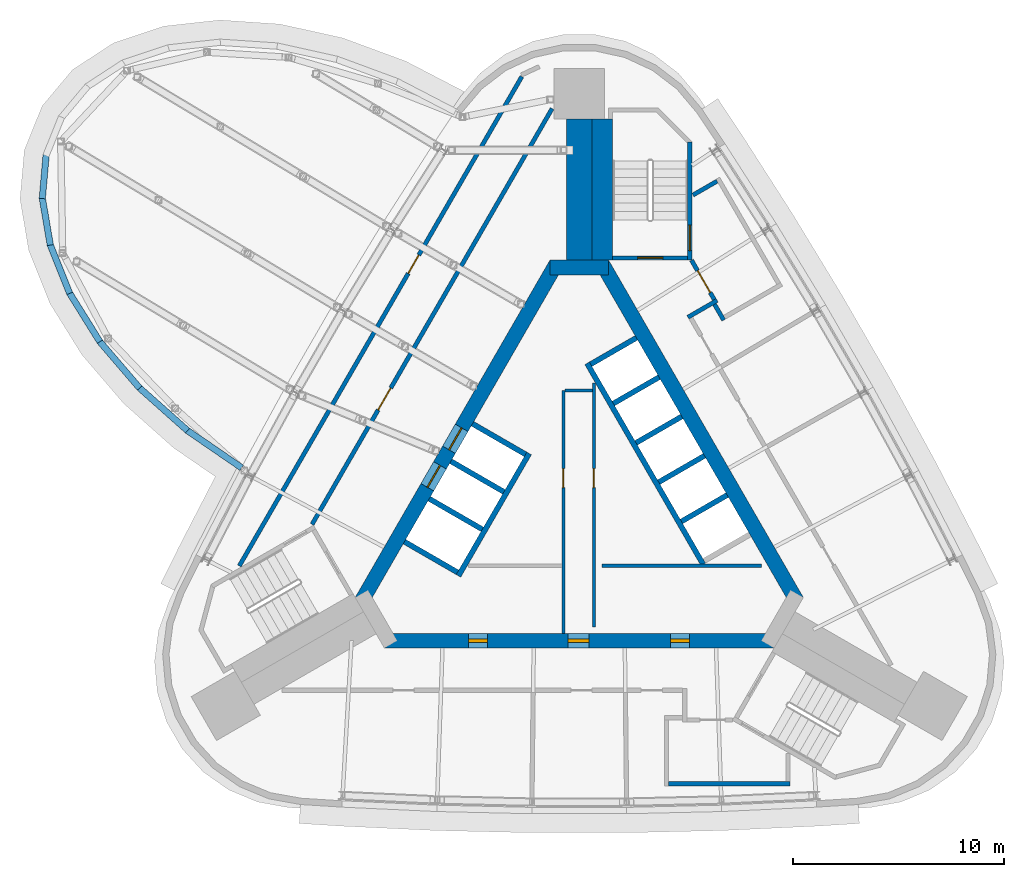
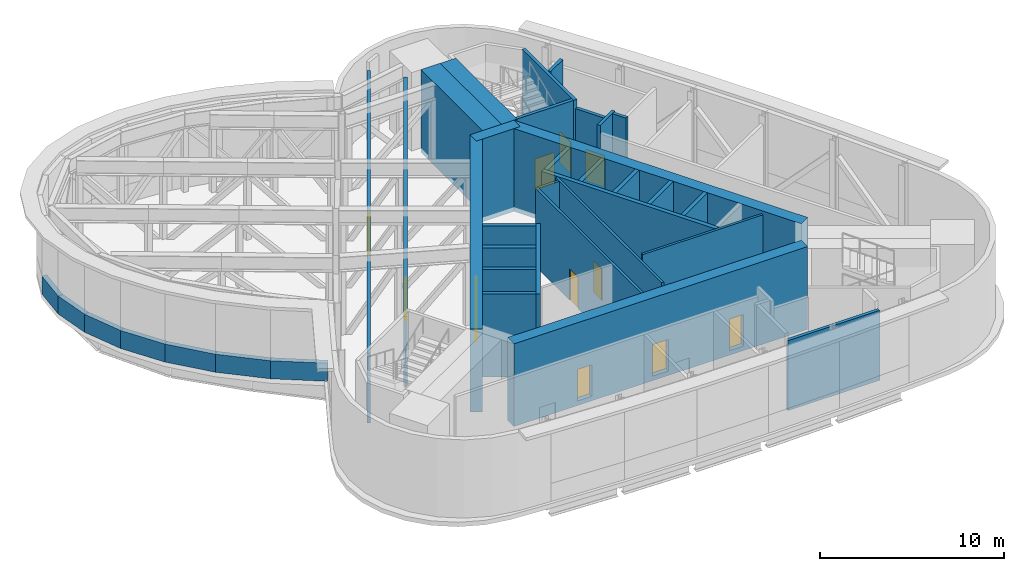
# One storey, part 7 of 11: 37 walls, 12 doors, 12 openings.
"""IFC4 building model written with IfcOpenShell, lengths in metres."""

from ifc_helpers import new_model, si_unit, direction, frame, frame_2d, origin, place, context, subcontext, project, spatial, polyline, rectangle, outline, extrude, material, layer, layer_set, type_object, element, fill, save


model = new_model("IFC4")

# Units and contexts
model_context = context("Model", 3, precision=1e-05, world=origin(), true_north=direction((0.0, 1.0)))
body_context = subcontext(model_context, "Body", "Model", "MODEL_VIEW")
ifc_project = project(units=[si_unit("LENGTHUNIT", "METRE"), si_unit("AREAUNIT", "SQUARE_METRE"), si_unit("VOLUMEUNIT", "CUBIC_METRE"), si_unit("PLANEANGLEUNIT", "RADIAN"), si_unit("MASSUNIT", "GRAM", prefix="KILO")], contexts=[model_context])

# Site, building, storey
site_placement = place(None, origin())
site = spatial("IfcSite", under=ifc_project, at=site_placement, CompositionType="ELEMENT")
building_placement = place(site_placement, origin())
building = spatial("IfcBuilding", under=site, at=building_placement, Name="Noor Cloister Tower", CompositionType="ELEMENT")
storey_placement = place(building_placement, frame((0.0, 0.0, 258.0)))
storey = spatial("IfcBuildingStorey", under=building, at=storey_placement, Name="L66", CompositionType="ELEMENT", Elevation=258.0)

# Wall
ifc_material_1 = material(Name="Concrete C60/75", Category="concrete")
ifc_layer_1 = layer(ifc_material_1, 1.199951171875)
ifc_layer_set_1 = layer_set([ifc_layer_1], Name="Buttress wall 1200 C60/75")
wall_type_1 = type_object("IfcWallType", Name="Buttress wall 1200 C60/75", PredefinedType="SHEAR", material=ifc_layer_set_1)
wall_1_placement = place(storey_placement, frame((0.0, 11.456298828125, -0.300048828125), z_axis=(0.0, 0.0, 1.0), x_axis=(0.0, 1.0, 0.0)))
element("IfcWall", 1, at=wall_1_placement, inside=storey, type_object=wall_type_1, Name="Buttress wall N L66", PredefinedType="SHEAR", context=body_context, shape_type="SweptSolid", body=[
    extrude(rectangle(XDim=6.6787109375, YDim=1.199951171875, at=frame_2d((3.33935546875, 0.0))), origin(), (0.0, 0.0, 1.0), 5.5),
])

# Wall, opening, door
ifc_material_2 = material(Name="Concrete C30/37", Category="concrete")
ifc_layer_2 = layer(ifc_material_2, 0.14990234375)
ifc_layer_set_2 = layer_set([ifc_layer_2], Name="Core partition 150 C30/37")
wall_type_2 = type_object("IfcWallType", Name="Core partition 150 C30/37", PredefinedType="PARTITIONING", material=ifc_layer_set_2)
wall_2_placement = place(storey_placement, frame((-0.753662109375, 5.271728515625, 0.0), z_axis=(0.0, 0.0, 1.0), x_axis=(0.0, -1.0, 0.0)))
wall_2 = element("IfcWall", 2, at=wall_2_placement, inside=storey, type_object=wall_type_2, Name="Core room partition L66 2", PredefinedType="PARTITIONING", context=body_context, shape_type="SweptSolid", body=[
    extrude(rectangle(XDim=11.5, YDim=0.14990234375, at=frame_2d((5.75, 0.0))), origin(), (0.0, 0.0, 1.0), 5.199951171875),
])
opening_1_placement = place(wall_2_placement, frame((3.700927734375, 0.0, 0.0)))
opening_1 = element("IfcOpeningElement", 3, at=opening_1_placement, cuts=wall_2, Name="Opening L66-904", PredefinedType="OPENING", context=body_context, shape_type="SweptSolid", body=[
    extrude(rectangle(XDim=0.89990234375, YDim=2.10009765625, at=frame_2d((0.449951171875, 1.050048828125))), frame((0.0, 0.0849609375, 0.0), z_axis=(0.0, -1.0, 0.0), x_axis=(1.0, 0.0, 0.0)), (0.0, 0.0, 1.0), 0.169921875),
])
ifc_material_3 = material(Name="Steel", Category="steel")
door_type_1 = type_object("IfcDoorType", Name="Core door 900 x 2100 FD60", OperationType="SINGLE_SWING_LEFT", PredefinedType="DOOR", material=ifc_material_3)
door_1_placement = place(opening_1_placement, origin())
door_1 = element("IfcDoor", 4, at=door_1_placement, inside=storey, type_object=door_type_1, Name="Core door 4 L66", OperationType="SINGLE_SWING_RIGHT", OverallHeight=2.10009765625, OverallWidth=0.89990234375, PredefinedType="DOOR", context=body_context, shape_type="SweptSolid", body=[
    extrude(rectangle(XDim=0.89990234375, YDim=2.10009765625, at=frame_2d((0.449951171875, 1.050048828125))), frame((0.0, 0.02490234375, 0.0), z_axis=(0.0, -1.0, 0.0), x_axis=(1.0, 0.0, 0.0)), (0.0, 0.0, 1.0), 0.050048828125),
])
fill(opening_1, door_1)

# Wall
wall_3_placement = place(storey_placement, frame((-0.6787109375, 5.271728515625, 0.0), z_axis=(0.0, 0.0, 1.0), x_axis=(1.0, 0.0, 0.0)))
element("IfcWall", 5, at=wall_3_placement, inside=storey, type_object=wall_type_2, Name="Core room partition L66 3", PredefinedType="PARTITIONING", context=body_context, shape_type="SweptSolid", body=[
    extrude(rectangle(XDim=1.300048828125, YDim=0.14990234375, at=frame_2d((0.64990234375, 0.0))), origin(), (0.0, 0.0, 1.0), 5.199951171875),
])

# Wall, opening, door
wall_4_placement = place(storey_placement, frame((0.6962890625, -5.92822265625, 0.0), z_axis=(0.0, 0.0, 1.0), x_axis=(0.0, 1.0, 0.0)))
wall_4 = element("IfcWall", 6, at=wall_4_placement, inside=storey, type_object=wall_type_2, Name="Core room partition L66 4", PredefinedType="PARTITIONING", context=body_context, shape_type="SweptSolid", body=[
    extrude(rectangle(XDim=11.548583984375, YDim=0.14990234375, at=frame_2d((5.7744140625, 0.0))), origin(), (0.0, 0.0, 1.0), 5.199951171875),
])
opening_2_placement = place(wall_4_placement, frame((6.60009765625, 0.0, 0.0)))
opening_2 = element("IfcOpeningElement", 7, at=opening_2_placement, cuts=wall_4, Name="Opening L66-905", PredefinedType="OPENING", context=body_context, shape_type="SweptSolid", body=[
    extrude(rectangle(XDim=0.89990234375, YDim=2.10009765625, at=frame_2d((0.449951171875, 1.050048828125))), frame((0.0, 0.0849609375, 0.0), z_axis=(0.0, -1.0, 0.0), x_axis=(1.0, 0.0, 0.0)), (0.0, 0.0, 1.0), 0.169921875),
])
ifc_material_4 = material(Name="Steel", Category="steel")
door_type_2 = type_object("IfcDoorType", Name="Core door 900 x 2100 FD120", OperationType="SINGLE_SWING_LEFT", PredefinedType="DOOR", material=ifc_material_4)
door_2_placement = place(opening_2_placement, origin())
door_2 = element("IfcDoor", 8, at=door_2_placement, inside=storey, type_object=door_type_2, Name="Core door 5 L66", OperationType="SINGLE_SWING_LEFT", OverallHeight=2.10009765625, OverallWidth=0.89990234375, PredefinedType="DOOR", context=body_context, shape_type="SweptSolid", body=[
    extrude(rectangle(XDim=0.89990234375, YDim=2.10009765625, at=frame_2d((0.449951171875, 1.050048828125))), frame((0.0, 0.02490234375, 0.0), z_axis=(0.0, -1.0, 0.0), x_axis=(1.0, 0.0, 0.0)), (0.0, 0.0, 1.0), 0.050048828125),
])
fill(opening_2, door_2)

# Wall
wall_5_placement = place(storey_placement, frame((1.0712890625, -3.0283203125, 0.0), z_axis=(0.0, 0.0, 1.0), x_axis=(1.0, 0.0, 0.0)))
element("IfcWall", 9, at=wall_5_placement, inside=storey, type_object=wall_type_2, Name="Core room partition L66 5", PredefinedType="PARTITIONING", context=body_context, shape_type="SweptSolid", body=[
    extrude(rectangle(XDim=7.568603515625, YDim=0.14990234375, at=frame_2d((3.7841796875, 0.0))), origin(), (0.0, 0.0, 1.0), 5.199951171875),
])

# Wall, openings, doors
ifc_material_5 = material(Name="Concrete C60/75", Category="concrete")
ifc_layer_3 = layer(ifc_material_5, 0.699951171875)
ifc_layer_set_3 = layer_set([ifc_layer_3], Name="Core wall 700 C60/75")
wall_type_3 = type_object("IfcWallType", Name="Core wall 700 C60/75", PredefinedType="SHEAR", material=ifc_layer_set_3)
wall_6_placement = place(storey_placement, frame((-9.228759765625, -6.578125, -0.300048828125), z_axis=(0.0, 0.0, 1.0), x_axis=(1.0, 0.0, 0.0)))
wall_6 = element("IfcWall", 10, at=wall_6_placement, inside=storey, type_object=wall_type_3, Name="Core wall L66 1", PredefinedType="SHEAR", context=body_context, shape_type="SweptSolid", body=[
    extrude(rectangle(XDim=18.45751953125, YDim=0.699951171875, at=frame_2d((9.228759765625, 0.0))), origin(), (0.0, 0.0, 1.0), 5.5),
])
opening_3_placement = place(wall_6_placement, frame((8.699951171875, 0.0, 0.300048828125)))
opening_3 = element("IfcOpeningElement", 11, at=opening_3_placement, cuts=wall_6, Name="Opening L66-901", PredefinedType="OPENING", context=body_context, shape_type="SweptSolid", body=[
    extrude(rectangle(XDim=1.0, YDim=2.10009765625, at=frame_2d((0.5, 1.050048828125))), frame((0.0, 0.35986328125, 0.0), z_axis=(0.0, -1.0, 0.0), x_axis=(1.0, 0.0, 0.0)), (0.0, 0.0, 1.0), 0.719970703125),
])
opening_4_placement = place(wall_6_placement, frame((3.989501953125, 0.0, 0.300048828125)))
opening_4 = element("IfcOpeningElement", 12, at=opening_4_placement, cuts=wall_6, Name="Opening L66-902", PredefinedType="OPENING", context=body_context, shape_type="SweptSolid", body=[
    extrude(rectangle(XDim=0.89990234375, YDim=2.10009765625, at=frame_2d((0.449951171875, 1.050048828125))), frame((0.0, 0.35986328125, 0.0), z_axis=(0.0, -1.0, 0.0), x_axis=(1.0, 0.0, 0.0)), (0.0, 0.0, 1.0), 0.719970703125),
])
opening_5_placement = place(wall_6_placement, frame((13.5390625, 0.0, 0.300048828125)))
opening_5 = element("IfcOpeningElement", 13, at=opening_5_placement, cuts=wall_6, Name="Opening L66-903", PredefinedType="OPENING", context=body_context, shape_type="SweptSolid", body=[
    extrude(rectangle(XDim=0.89990234375, YDim=2.10009765625, at=frame_2d((0.449951171875, 1.050048828125))), frame((0.0, 0.35986328125, 0.0), z_axis=(0.0, -1.0, 0.0), x_axis=(1.0, 0.0, 0.0)), (0.0, 0.0, 1.0), 0.719970703125),
])
ifc_material_6 = material(Name="Steel", Category="steel")
door_type_3 = type_object("IfcDoorType", Name="Core door 1000 x 2100 FD120", OperationType="SINGLE_SWING_LEFT", PredefinedType="DOOR", material=ifc_material_6)
door_3_placement = place(opening_3_placement, origin())
door_3 = element("IfcDoor", 14, at=door_3_placement, inside=storey, type_object=door_type_3, Name="Core door 1 L66", OperationType="SINGLE_SWING_LEFT", OverallHeight=2.10009765625, OverallWidth=1.0, PredefinedType="DOOR", context=body_context, shape_type="SweptSolid", body=[
    extrude(rectangle(XDim=1.0, YDim=2.10009765625, at=frame_2d((0.5, 1.050048828125))), frame((0.0, 0.074951171875, 0.0), z_axis=(0.0, -1.0, 0.0), x_axis=(1.0, 0.0, 0.0)), (0.0, 0.0, 1.0), 0.14990234375),
])
fill(opening_3, door_3)
door_4_placement = place(opening_4_placement, origin())
door_4 = element("IfcDoor", 15, at=door_4_placement, inside=storey, type_object=door_type_2, Name="Core door 2 L66", OperationType="SINGLE_SWING_RIGHT", OverallHeight=2.10009765625, OverallWidth=0.89990234375, PredefinedType="DOOR", context=body_context, shape_type="SweptSolid", body=[
    extrude(rectangle(XDim=0.89990234375, YDim=2.10009765625, at=frame_2d((0.449951171875, 1.050048828125))), frame((0.0, 0.074951171875, 0.0), z_axis=(0.0, -1.0, 0.0), x_axis=(1.0, 0.0, 0.0)), (0.0, 0.0, 1.0), 0.14990234375),
])
fill(opening_4, door_4)
door_5_placement = place(opening_5_placement, origin())
door_5 = element("IfcDoor", 16, at=door_5_placement, inside=storey, type_object=door_type_1, Name="Core door 3 L66", OperationType="SINGLE_SWING_LEFT", OverallHeight=2.10009765625, OverallWidth=0.89990234375, PredefinedType="DOOR", context=body_context, shape_type="SweptSolid", body=[
    extrude(rectangle(XDim=0.89990234375, YDim=2.10009765625, at=frame_2d((0.449951171875, 1.050048828125))), frame((0.0, 0.074951171875, 0.0), z_axis=(0.0, -1.0, 0.0), x_axis=(1.0, 0.0, 0.0)), (0.0, 0.0, 1.0), 0.14990234375),
])
fill(opening_5, door_5)

# Walls
wall_7_placement = place(storey_placement, frame((10.311279296875, -4.703125, -0.300048828125), z_axis=(0.0, 0.0, 1.0), x_axis=(-0.500001446645, 0.866024568562, 0.0)))
element("IfcWall", 17, at=wall_7_placement, inside=storey, type_object=wall_type_3, Name="Core wall L66 3", PredefinedType="SHEAR", context=body_context, shape_type="SweptSolid", body=[
    extrude(rectangle(XDim=18.45751953125, YDim=0.699951171875, at=frame_2d((9.228759765625, 0.0))), origin(), (0.0, 0.0, 1.0), 5.5),
])
wall_8_placement = place(storey_placement, frame((1.3857421875, 11.1064453125, -0.300048828125), z_axis=(0.0, 0.0, 1.0), x_axis=(-1.0, 0.0, 0.0)))
element("IfcWall", 18, at=wall_8_placement, inside=storey, type_object=wall_type_3, Name="Core wall L66 4", PredefinedType="SHEAR", context=body_context, shape_type="SweptSolid", body=[
    extrude(rectangle(XDim=2.771484375, YDim=0.699951171875, at=frame_2d((1.3857421875, 0.0))), origin(), (0.0, 0.0, 1.0), 5.5),
])

# Wall, openings, doors
wall_9_placement = place(storey_placement, frame((-1.08251953125, 11.281494140625, -0.300048828125), z_axis=(0.0, 0.0, 1.0), x_axis=(-0.500001446645, -0.866024568562, 0.0)))
wall_9 = element("IfcWall", 19, at=wall_9_placement, inside=storey, type_object=wall_type_3, Name="Core wall L66 5", PredefinedType="SHEAR", context=body_context, shape_type="SweptSolid", body=[
    extrude(rectangle(XDim=18.45751953125, YDim=0.699951171875, at=frame_2d((9.228759765625, 0.0))), origin(), (0.0, 0.0, 1.0), 5.5),
])
opening_6_placement = place(wall_9_placement, frame((8.978759765625, 0.0, 0.300048828125)))
opening_6 = element("IfcOpeningElement", 20, at=opening_6_placement, cuts=wall_9, Name="Opening L66-FF1", PredefinedType="OPENING", context=body_context, shape_type="SweptSolid", body=[
    extrude(rectangle(XDim=1.199951171875, YDim=2.10009765625, at=frame_2d((0.60009765625, 1.050048828125))), frame((0.0, 0.35986328125, 0.0), z_axis=(0.0, -1.0, 0.0), x_axis=(1.0, 0.0, 0.0)), (0.0, 0.0, 1.0), 0.719970703125),
])
opening_7_placement = place(wall_9_placement, frame((11.02880859375, 0.0, 0.300048828125)))
opening_7 = element("IfcOpeningElement", 21, at=opening_7_placement, cuts=wall_9, Name="Opening L66-FF2", PredefinedType="OPENING", context=body_context, shape_type="SweptSolid", body=[
    extrude(rectangle(XDim=1.199951171875, YDim=2.10009765625, at=frame_2d((0.60009765625, 1.050048828125))), frame((0.0, 0.35986328125, 0.0), z_axis=(0.0, -1.0, 0.0), x_axis=(1.0, 0.0, 0.0)), (0.0, 0.0, 1.0), 0.719970703125),
])
ifc_material_7 = material(Name="Stainless steel", Category="steel")
door_type_4 = type_object("IfcDoorType", Name="Lift landing door 1200 x 2100", OperationType="DOUBLE_DOOR_SLIDING", PredefinedType="DOOR", material=ifc_material_7)
door_6_placement = place(opening_6_placement, origin())
door_6 = element("IfcDoor", 22, at=door_6_placement, inside=storey, type_object=door_type_4, Name="Landing door FF1 L66", OperationType="DOUBLE_DOOR_SLIDING", OverallHeight=2.10009765625, OverallWidth=1.199951171875, PredefinedType="DOOR", context=body_context, shape_type="SweptSolid", body=[
    extrude(rectangle(XDim=1.199951171875, YDim=2.10009765625, at=frame_2d((0.60009765625, 1.050048828125))), frame((0.0, 0.02490234375, 0.0), z_axis=(0.0, -1.0, 0.0), x_axis=(1.0, 0.0, 0.0)), (0.0, 0.0, 1.0), 0.050048828125),
])
fill(opening_6, door_6)
door_7_placement = place(opening_7_placement, origin())
door_7 = element("IfcDoor", 23, at=door_7_placement, inside=storey, type_object=door_type_4, Name="Landing door FF2 L66", OperationType="DOUBLE_DOOR_SLIDING", OverallHeight=2.10009765625, OverallWidth=1.199951171875, PredefinedType="DOOR", context=body_context, shape_type="SweptSolid", body=[
    extrude(rectangle(XDim=1.199951171875, YDim=2.10009765625, at=frame_2d((0.60009765625, 1.050048828125))), frame((0.0, 0.02490234375, 0.0), z_axis=(0.0, -1.0, 0.0), x_axis=(1.0, 0.0, 0.0)), (0.0, 0.0, 1.0), 0.050048828125),
])
fill(opening_7, door_7)

# Walls
ifc_material_8 = material(Name="Limestone", Category="masonry")
ifc_layer_4 = layer(ifc_material_8, 0.300048828125)
ifc_layer_set_4 = layer_set([ifc_layer_4], Name="Limestone panel wall 300")
wall_type_4 = type_object("IfcWallType", Name="Limestone panel wall 300", PredefinedType="NOTDEFINED", material=ifc_layer_set_4)
wall_10_placement = place(storey_placement, origin())
element("IfcWall", 24, at=wall_10_placement, inside=storey, type_object=wall_type_4, Name="Limestone panel wall L66 1.10", PredefinedType="NOTDEFINED", context=body_context, shape_type="SweptSolid", body=[
    extrude(outline(polyline([(-25.403076171875, 16.45166015625), (-25.58544921875, 14.377685546875), (-25.28662109375, 14.351318359375), (-25.104248046875, 16.425537109375), (-25.403076171875, 16.45166015625)])), origin(), (0.0, 0.0, 1.0), 1.199951171875),
])
wall_11_placement = place(storey_placement, origin())
element("IfcWall", 25, at=wall_11_placement, inside=storey, type_object=wall_type_4, Name="Limestone panel wall L66 1.11", PredefinedType="NOTDEFINED", context=body_context, shape_type="SweptSolid", body=[
    extrude(outline(polyline([(-25.58544921875, 14.377685546875), (-25.205078125, 12.13720703125), (-24.9091796875, 12.1875), (-25.28955078125, 14.427734375), (-25.58544921875, 14.377685546875)])), origin(), (0.0, 0.0, 1.0), 1.199951171875),
])
wall_12_placement = place(storey_placement, origin())
element("IfcWall", 26, at=wall_12_placement, inside=storey, type_object=wall_type_4, Name="Limestone panel wall L66 1.12", PredefinedType="NOTDEFINED", context=body_context, shape_type="SweptSolid", body=[
    extrude(outline(polyline([(-25.205078125, 12.13720703125), (-24.276611328125, 9.816650390625), (-23.998046875, 9.927978515625), (-24.926513671875, 12.248779296875), (-25.205078125, 12.13720703125)])), origin(), (0.0, 0.0, 1.0), 1.199951171875),
])
wall_13_placement = place(storey_placement, origin())
element("IfcWall", 27, at=wall_13_placement, inside=storey, type_object=wall_type_4, Name="Limestone panel wall L66 1.13", PredefinedType="NOTDEFINED", context=body_context, shape_type="SweptSolid", body=[
    extrude(outline(polyline([(-24.276611328125, 9.816650390625), (-22.8359375, 7.5048828125), (-22.581298828125, 7.66357421875), (-24.02197265625, 9.975341796875), (-24.276611328125, 9.816650390625)])), origin(), (0.0, 0.0, 1.0), 1.199951171875),
])
wall_14_placement = place(storey_placement, origin())
element("IfcWall", 28, at=wall_14_placement, inside=storey, type_object=wall_type_4, Name="Limestone panel wall L66 1.14", PredefinedType="NOTDEFINED", context=body_context, shape_type="SweptSolid", body=[
    extrude(outline(polyline([(-22.8359375, 7.5048828125), (-20.938232421875, 5.291015625), (-20.71044921875, 5.486328125), (-22.608154296875, 7.7001953125), (-22.8359375, 7.5048828125)])), origin(), (0.0, 0.0, 1.0), 1.199951171875),
])
wall_15_placement = place(storey_placement, origin())
element("IfcWall", 29, at=wall_15_placement, inside=storey, type_object=wall_type_4, Name="Limestone panel wall L66 1.15", PredefinedType="NOTDEFINED", context=body_context, shape_type="SweptSolid", body=[
    extrude(outline(polyline([(-20.938232421875, 5.291015625), (-18.65625, 3.260009765625), (-18.456787109375, 3.484130859375), (-20.73876953125, 5.51513671875), (-20.938232421875, 5.291015625)])), origin(), (0.0, 0.0, 1.0), 1.199951171875),
])
wall_16_placement = place(storey_placement, origin())
element("IfcWall", 30, at=wall_16_placement, inside=storey, type_object=wall_type_4, Name="Limestone panel wall L66 1.16", PredefinedType="NOTDEFINED", context=body_context, shape_type="SweptSolid", body=[
    extrude(outline(polyline([(-18.65625, 3.260009765625), (-16.078125, 1.489990234375), (-15.908447265625, 1.7373046875), (-18.486572265625, 3.507568359375), (-18.65625, 3.260009765625)])), origin(), (0.0, 0.0, 1.0), 1.199951171875),
])
ifc_material_9 = material(Name="Concrete C60/75", Category="concrete")
ifc_layer_5 = layer(ifc_material_9, 0.25)
ifc_layer_set_5 = layer_set([ifc_layer_5], Name="Shaft wall 250 C60/75")
wall_type_5 = type_object("IfcWallType", Name="Shaft wall 250 C60/75", PredefinedType="PARTITIONING", material=ifc_layer_set_5)
wall_17_placement = place(storey_placement, frame((7.00634765625, 0.3212890625, -0.300048828125), z_axis=(0.0, 0.0, 1.0), x_axis=(-0.866022959057, -0.500004234368, 0.0)))
element("IfcWall", 31, at=wall_17_placement, inside=storey, type_object=wall_type_5, Name="Lift shaft wall L66 NE 2", PredefinedType="PARTITIONING", context=body_context, shape_type="SweptSolid", body=[
    extrude(rectangle(XDim=2.5, YDim=0.25, at=frame_2d((1.25, 0.0))), origin(), (0.0, 0.0, 1.0), 5.5),
])
wall_18_placement = place(storey_placement, frame((5.931396484375, 2.18310546875, -0.300048828125), z_axis=(0.0, 0.0, 1.0), x_axis=(-0.866047370643, -0.499961950354, 0.0)))
element("IfcWall", 32, at=wall_18_placement, inside=storey, type_object=wall_type_5, Name="Lift shaft wall L66 NE 3", PredefinedType="PARTITIONING", context=body_context, shape_type="SweptSolid", body=[
    extrude(rectangle(XDim=2.500244140625, YDim=0.25, at=frame_2d((1.25, 0.0))), origin(), (0.0, 0.0, 1.0), 5.5),
])
for number, where, z_axis, x_axis, name in (
    (33, (4.856201171875, 4.045166015625, -0.300048828125), (0.0, 0.0, 1.0), (-0.866022959057, -0.500004234368, 0.0), "Lift shaft wall L66 NE 4"),
    (34, (3.78125, 5.906982421875, -0.300048828125), (0.0, 0.0, 1.0), (-0.866022959057, -0.500004234368, 0.0), "Lift shaft wall L66 NE 5"),
    (35, (2.706298828125, 7.76904296875, -0.300048828125), (0.0, 0.0, 1.0), (-0.866022959057, -0.500004234368, 0.0), "Lift shaft wall L66 NE 6"),
):
    element("IfcWall", number, at=place(storey_placement, frame(where, z_axis=z_axis, x_axis=x_axis)), inside=storey, type_object=wall_type_5, Name=name, PredefinedType="PARTITIONING", context=body_context, shape_type="SweptSolid", body=[
        extrude(rectangle(XDim=2.5, YDim=0.25, at=frame_2d((1.25, 0.0))), origin(), (0.0, 0.0, 1.0), 5.5),
    ])
wall_19_placement = place(storey_placement, frame((5.870361328125, -2.96142578125, 0.0), z_axis=(0.0, 0.0, 1.0), x_axis=(-0.50000615651, 0.866021849293, 0.0)))
element("IfcWall", 36, at=wall_19_placement, inside=storey, type_object=wall_type_5, Name="Lift shaft back wall L66 NE", PredefinedType="PARTITIONING", context=body_context, shape_type="SweptSolid", body=[
    extrude(rectangle(XDim=10.999755859375, YDim=0.25, at=frame_2d((5.5, 0.0))), origin(), (0.0, 0.0, 1.0), 5.199951171875),
])
for number, where, z_axis, x_axis, name in (
    (37, (-5.056396484375, 3.69873046875, -0.300048828125), (0.0, 0.0, 1.0), (0.866032775405, -0.499987231761, 0.0), "Lift shaft wall L66 NW 3"),
    (38, (-6.081298828125, 1.92333984375, -0.300048828125), (0.0, 0.0, 1.0), (0.866032775405, -0.499987231761, 0.0), "Lift shaft wall L66 NW 4"),
    (39, (-7.106201171875, 0.14794921875, -0.300048828125), (0.0, 0.0, 1.0), (0.866032775405, -0.499987231761, 0.0), "Lift shaft wall L66 NW 5"),
    (40, (-8.28125, -1.88720703125, -0.300048828125), (0.0, 0.0, 1.0), (0.866032775405, -0.499987231761, 0.0), "Lift shaft wall L66 NW 6"),
):
    element("IfcWall", number, at=place(storey_placement, frame(where, z_axis=z_axis, x_axis=x_axis)), inside=storey, type_object=wall_type_5, Name=name, PredefinedType="PARTITIONING", context=body_context, shape_type="SweptSolid", body=[
        extrude(rectangle(XDim=2.89990234375, YDim=0.25, at=frame_2d((1.449951171875, 0.0))), origin(), (0.0, 0.0, 1.0), 5.5),
    ])
wall_20_placement = place(storey_placement, frame((-2.3740234375, 2.29443359375, 0.0), z_axis=(0.0, 0.0, 1.0), x_axis=(-0.500003174267, -0.866023571113, 0.0)))
element("IfcWall", 41, at=wall_20_placement, inside=storey, type_object=wall_type_5, Name="Lift shaft back wall L66 NW", PredefinedType="PARTITIONING", context=body_context, shape_type="SweptSolid", body=[
    extrude(rectangle(XDim=6.7001953125, YDim=0.25, at=frame_2d((3.35009765625, 0.0))), origin(), (0.0, 0.0, 1.0), 5.199951171875),
])

# Wall, opening, door
ifc_material_10 = material(Name="Concrete C60/75", Category="concrete")
ifc_layer_6 = layer(ifc_material_10, 0.199951171875)
ifc_layer_set_6 = layer_set([ifc_layer_6], Name="Stair enclosure wall 200 C60/75")
wall_type_6 = type_object("IfcWallType", Name="Stair enclosure wall 200 C60/75", PredefinedType="SHEAR", material=ifc_layer_set_6)
wall_21_placement = place(storey_placement, frame((5.135498046875, 11.556396484375, -0.300048828125), z_axis=(0.0, 0.0, 1.0), x_axis=(-1.0, 0.0, 0.0)))
wall_21 = element("IfcWall", 42, at=wall_21_placement, inside=storey, type_object=wall_type_6, Name="Stair enclosure wall ST1 L66 near end", PredefinedType="SHEAR", context=body_context, shape_type="SweptSolid", body=[
    extrude(rectangle(XDim=3.5498046875, YDim=0.199951171875, at=frame_2d((1.77490234375, 0.0))), origin(), (0.0, 0.0, 1.0), 5.5),
])
opening_8_placement = place(wall_21_placement, frame((1.175048828125, 0.0, 0.300048828125)))
opening_8 = element("IfcOpeningElement", 43, at=opening_8_placement, cuts=wall_21, Name="Opening L66-ST1L", PredefinedType="OPENING", context=body_context, shape_type="SweptSolid", body=[
    extrude(rectangle(XDim=1.199951171875, YDim=2.10009765625, at=frame_2d((0.60009765625, 1.050048828125))), frame((0.0, 0.10986328125, 0.0), z_axis=(0.0, -1.0, 0.0), x_axis=(1.0, 0.0, 0.0)), (0.0, 0.0, 1.0), 0.219970703125),
])
ifc_material_11 = material(Name="Steel", Category="steel")
door_type_5 = type_object("IfcDoorType", Name="Stair door 1200 x 2100 FD120", OperationType="SINGLE_SWING_LEFT", PredefinedType="DOOR", material=ifc_material_11)
door_8_placement = place(opening_8_placement, origin())
door_8 = element("IfcDoor", 44, at=door_8_placement, inside=storey, type_object=door_type_5, Name="Stair door ST1 L66", OperationType="SINGLE_SWING_RIGHT", OverallHeight=2.10009765625, OverallWidth=1.199951171875, PredefinedType="DOOR", context=body_context, shape_type="SweptSolid", body=[
    extrude(rectangle(XDim=1.199951171875, YDim=2.10009765625, at=frame_2d((0.60009765625, 1.050048828125))), frame((0.0, 0.02490234375, 0.0), z_axis=(0.0, -1.0, 0.0), x_axis=(1.0, 0.0, 0.0)), (0.0, 0.0, 1.0), 0.050048828125),
])
fill(opening_8, door_8)

wall_22_placement = place(storey_placement, frame((5.235595703125, 11.456298828125, -0.300048828125), z_axis=(0.0, 0.0, 1.0), x_axis=(0.0, 1.0, 0.0)))
wall_22 = element("IfcWall", 45, at=wall_22_placement, inside=storey, type_object=wall_type_6, Name="Stair enclosure wall ST1 L66 outer side", PredefinedType="SHEAR", context=body_context, shape_type="SweptSolid", body=[
    extrude(rectangle(XDim=5.60009765625, YDim=0.199951171875, at=frame_2d((2.800048828125, 0.0))), origin(), (0.0, 0.0, 1.0), 5.5),
])
opening_9_placement = place(wall_22_placement, frame((0.449951171875, 0.0, 0.300048828125)))
opening_9 = element("IfcOpeningElement", 46, at=opening_9_placement, cuts=wall_22, Name="Opening L66-ST1C", PredefinedType="OPENING", context=body_context, shape_type="SweptSolid", body=[
    extrude(rectangle(XDim=1.199951171875, YDim=2.10009765625, at=frame_2d((0.60009765625, 1.050048828125))), frame((0.0, 0.10986328125, 0.0), z_axis=(0.0, -1.0, 0.0), x_axis=(1.0, 0.0, 0.0)), (0.0, 0.0, 1.0), 0.219970703125),
])
door_9_placement = place(opening_9_placement, origin())
door_9 = element("IfcDoor", 47, at=door_9_placement, inside=storey, type_object=door_type_5, Name="Stair door ST1 L66", OperationType="SINGLE_SWING_LEFT", OverallHeight=2.10009765625, OverallWidth=1.199951171875, PredefinedType="DOOR", context=body_context, shape_type="SweptSolid", body=[
    extrude(rectangle(XDim=1.199951171875, YDim=2.10009765625, at=frame_2d((0.60009765625, 1.050048828125))), frame((0.0, 0.02490234375, 0.0), z_axis=(0.0, -1.0, 0.0), x_axis=(1.0, 0.0, 0.0)), (0.0, 0.0, 1.0), 0.050048828125),
])
fill(opening_9, door_9)

# Wall
ifc_material_12 = material(Name="Concrete C60/75", Category="concrete")
ifc_layer_7 = layer(ifc_material_12, 0.986083984375)
ifc_layer_set_7 = layer_set([ifc_layer_7], Name="Stair enclosure wall 986 C60/75")
wall_type_7 = type_object("IfcWallType", Name="Stair enclosure wall 986 C60/75", PredefinedType="SHEAR", material=ifc_layer_set_7)
wall_23_placement = place(storey_placement, frame((1.0927734375, 11.456298828125, -0.300048828125), z_axis=(0.0, 0.0, 1.0), x_axis=(0.0, 1.0, 0.0)))
element("IfcWall", 48, at=wall_23_placement, inside=storey, type_object=wall_type_7, Name="Stair enclosure wall ST1 L66 riser side", PredefinedType="SHEAR", context=body_context, shape_type="SweptSolid", body=[
    extrude(rectangle(XDim=6.6787109375, YDim=0.985595703125, at=frame_2d((3.33935546875, 0.0))), origin(), (0.0, 0.0, 1.0), 5.5),
])

# Wall, opening, door
ifc_material_13 = material(Name="Concrete block wall, 200 mm", Category="concrete")
ifc_layer_8 = layer(ifc_material_13, 0.199951171875)
ifc_layer_set_8 = layer_set([ifc_layer_8], Name="Upper floor plant room wall 200")
wall_type_8 = type_object("IfcWallType", Name="Upper floor plant room wall 200", PredefinedType="PARTITIONING", material=ifc_layer_set_8)
wall_24_placement = place(storey_placement, frame((-1.28662109375, 18.6279296875, 0.0), z_axis=(0.0, 0.0, 1.0), x_axis=(-0.499998747105, -0.866026127143, 0.0)))
wall_24 = element("IfcWall", 49, at=wall_24_placement, inside=storey, type_object=wall_type_8, Name="Upper floor plant room wall 200 L66 001", PredefinedType="PARTITIONING", context=body_context, shape_type="SweptSolid", body=[
    extrude(rectangle(XDim=22.74267578125, YDim=0.199951171875, at=frame_2d((11.371337890625, 0.0))), origin(), (0.0, 0.0, 1.0), 4.652099609375),
])
opening_10_placement = place(wall_24_placement, frame((15.285888671875, 0.0, 0.0)))
opening_10 = element("IfcOpeningElement", 50, at=opening_10_placement, cuts=wall_24, Name="Opening L66-002", PredefinedType="OPENING", context=body_context, shape_type="SweptSolid", body=[
    extrude(rectangle(XDim=1.199951171875, YDim=2.10009765625, at=frame_2d((0.60009765625, 1.050048828125))), frame((0.0, 0.10986328125, 0.0), z_axis=(0.0, -1.0, 0.0), x_axis=(1.0, 0.0, 0.0)), (0.0, 0.0, 1.0), 0.219970703125),
])
ifc_material_14 = material(Name="Timber door leaf with steel frame", Category="steel")
door_type_6 = type_object("IfcDoorType", Name="Firefighting lobby door 1200", OperationType="NOTDEFINED", PredefinedType="DOOR", material=ifc_material_14)
door_10_placement = place(opening_10_placement, origin())
door_10 = element("IfcDoor", 51, at=door_10_placement, inside=storey, type_object=door_type_6, Name="Firefighting lobby door 1200 L66-002", OperationType="SINGLE_SWING_RIGHT", OverallHeight=2.10009765625, OverallWidth=1.199951171875, PredefinedType="DOOR", context=body_context, shape_type="SweptSolid", body=[
    extrude(rectangle(XDim=1.199951171875, YDim=2.10009765625, at=frame_2d((0.60009765625, 1.050048828125))), frame((0.0, 0.02490234375, 0.0), z_axis=(0.0, -1.0, 0.0), x_axis=(1.0, 0.0, 0.0)), (0.0, 0.0, 1.0), 0.050048828125),
])
fill(opening_10, door_10)

wall_25_placement = place(storey_placement, frame((-16.10400390625, -3.03662109375, 0.0), z_axis=(0.0, 0.0, 1.0), x_axis=(0.500001441734, 0.866024571397, 0.0)))
wall_25 = element("IfcWall", 52, at=wall_25_placement, inside=storey, type_object=wall_type_8, Name="Upper floor plant room wall 200 L66 003", PredefinedType="PARTITIONING", context=body_context, shape_type="SweptSolid", body=[
    extrude(rectangle(XDim=26.76513671875, YDim=0.199951171875, at=frame_2d((13.382568359375, 0.0))), origin(), (0.0, 0.0, 1.0), 4.652099609375),
])
opening_11_placement = place(wall_25_placement, frame((16.004150390625, 0.0, 0.0)))
opening_11 = element("IfcOpeningElement", 53, at=opening_11_placement, cuts=wall_25, Name="Opening L66-001", PredefinedType="OPENING", context=body_context, shape_type="SweptSolid", body=[
    extrude(rectangle(XDim=1.0, YDim=2.10009765625, at=frame_2d((0.5, 1.050048828125))), frame((0.0, 0.10986328125, 0.0), z_axis=(0.0, -1.0, 0.0), x_axis=(1.0, 0.0, 0.0)), (0.0, 0.0, 1.0), 0.219970703125),
])
ifc_material_15 = material(Name="Timber door leaf with steel frame", Category="steel")
door_type_7 = type_object("IfcDoorType", Name="Plant room door 1000", OperationType="NOTDEFINED", PredefinedType="DOOR", material=ifc_material_15)
door_11_placement = place(opening_11_placement, origin())
door_11 = element("IfcDoor", 54, at=door_11_placement, inside=storey, type_object=door_type_7, Name="Plant room door 1000 L66-001", OperationType="SINGLE_SWING_RIGHT", OverallHeight=2.10009765625, OverallWidth=1.0, PredefinedType="DOOR", context=body_context, shape_type="SweptSolid", body=[
    extrude(rectangle(XDim=1.0, YDim=2.10009765625, at=frame_2d((0.5, 1.050048828125))), frame((0.0, 0.02490234375, 0.0), z_axis=(0.0, -1.0, 0.0), x_axis=(1.0, 0.0, 0.0)), (0.0, 0.0, 1.0), 0.050048828125),
])
fill(opening_11, door_11)

# Walls
wall_26_placement = place(storey_placement, frame((4.233642578125, -13.349853515625, 0.0), z_axis=(0.0, 0.0, 1.0), x_axis=(1.0, 0.0, 0.0)))
element("IfcWall", 55, at=wall_26_placement, inside=storey, type_object=wall_type_8, Name="Upper floor plant room wall 200 L66 011", PredefinedType="PARTITIONING", context=body_context, shape_type="SweptSolid", body=[
    extrude(rectangle(XDim=5.7587890625, YDim=0.199951171875, at=frame_2d((2.87939453125, 0.0))), origin(), (0.0, 0.0, 1.0), 4.652099609375),
])
wall_27_placement = place(storey_placement, frame((6.407958984375, 9.357666015625, 0.0), z_axis=(0.0, 0.0, 1.0), x_axis=(0.499958279983, -0.866049489508, 0.0)))
element("IfcWall", 56, at=wall_27_placement, inside=storey, type_object=wall_type_8, Name="Upper floor plant room wall 200 L66 013", PredefinedType="PARTITIONING", context=body_context, shape_type="SweptSolid", body=[
    extrude(rectangle(XDim=0.8662109375, YDim=0.199951171875, at=frame_2d((0.43310546875, 0.0))), origin(), (0.0, 0.0, 1.0), 5.199951171875),
])
wall_28_placement = place(storey_placement, frame((5.147216796875, 8.7451171875, 0.0), z_axis=(0.0, 0.0, 1.0), x_axis=(0.865987117328, 0.500066308224, 0.0)))
element("IfcWall", 57, at=wall_28_placement, inside=storey, type_object=wall_type_8, Name="Upper floor plant room wall 200 L66 014", PredefinedType="PARTITIONING", context=body_context, shape_type="SweptSolid", body=[
    extrude(rectangle(XDim=1.597900390625, YDim=0.199951171875, at=frame_2d((0.798828125, 0.0))), origin(), (0.0, 0.0, 1.0), 5.199951171875),
])

# Wall, opening, door
wall_29_placement = place(storey_placement, frame((6.39453125, 9.580810546875, 0.0), z_axis=(0.0, 0.0, 1.0), x_axis=(-0.500003735859, 0.866023246874, 0.0)))
wall_29 = element("IfcWall", 58, at=wall_29_placement, inside=storey, type_object=wall_type_8, Name="Upper floor plant room wall 200 L66 015", PredefinedType="PARTITIONING", context=body_context, shape_type="SweptSolid", body=[
    extrude(rectangle(XDim=2.15380859375, YDim=0.199951171875, at=frame_2d((1.076904296875, 0.0))), origin(), (0.0, 0.0, 1.0), 4.652099609375),
])
opening_12_placement = place(wall_29_placement, frame((0.383056640625, 0.0, 0.0)))
opening_12 = element("IfcOpeningElement", 59, at=opening_12_placement, cuts=wall_29, Name="Opening L66-010", PredefinedType="OPENING", context=body_context, shape_type="SweptSolid", body=[
    extrude(rectangle(XDim=1.199951171875, YDim=2.10009765625, at=frame_2d((0.60009765625, 1.050048828125))), frame((0.0, 0.10986328125, 0.0), z_axis=(0.0, -1.0, 0.0), x_axis=(1.0, 0.0, 0.0)), (0.0, 0.0, 1.0), 0.219970703125),
])
ifc_material_16 = material(Name="Timber door leaf with steel frame", Category="steel")
door_type_8 = type_object("IfcDoorType", Name="Protected lobby door 1200", OperationType="NOTDEFINED", PredefinedType="DOOR", material=ifc_material_16)
door_12_placement = place(opening_12_placement, origin())
door_12 = element("IfcDoor", 60, at=door_12_placement, inside=storey, type_object=door_type_8, Name="Protected lobby door 1200 L66-010", OperationType="SINGLE_SWING_LEFT", OverallHeight=2.10009765625, OverallWidth=1.199951171875, PredefinedType="DOOR", context=body_context, shape_type="SweptSolid", body=[
    extrude(rectangle(XDim=1.199951171875, YDim=2.10009765625, at=frame_2d((0.60009765625, 1.050048828125))), frame((0.0, 0.02490234375, 0.0), z_axis=(0.0, -1.0, 0.0), x_axis=(1.0, 0.0, 0.0)), (0.0, 0.0, 1.0), 0.050048828125),
])
fill(opening_12, door_12)

# Wall
wall_30_placement = place(storey_placement, frame((6.528564453125, 15.19189453125, 0.0), z_axis=(0.0, 0.0, 1.0), x_axis=(-0.866117824122, -0.499839889103, 0.0)))
element("IfcWall", 61, at=wall_30_placement, inside=storey, type_object=wall_type_8, Name="Upper floor plant room wall 200 L66 021", PredefinedType="PARTITIONING", context=body_context, shape_type="SweptSolid", body=[
    extrude(rectangle(XDim=1.31982421875, YDim=0.199951171875, at=frame_2d((0.659912109375, 0.0))), origin(), (0.0, 0.0, 1.0), 5.199951171875),
])

save(model, "model.ifc")
